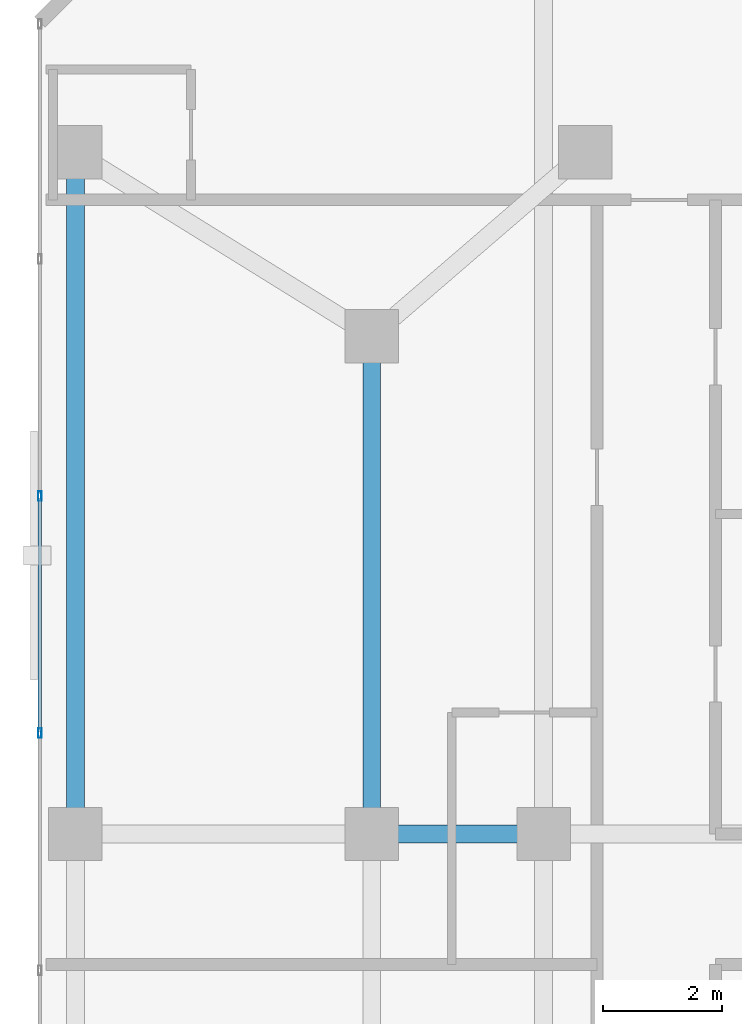
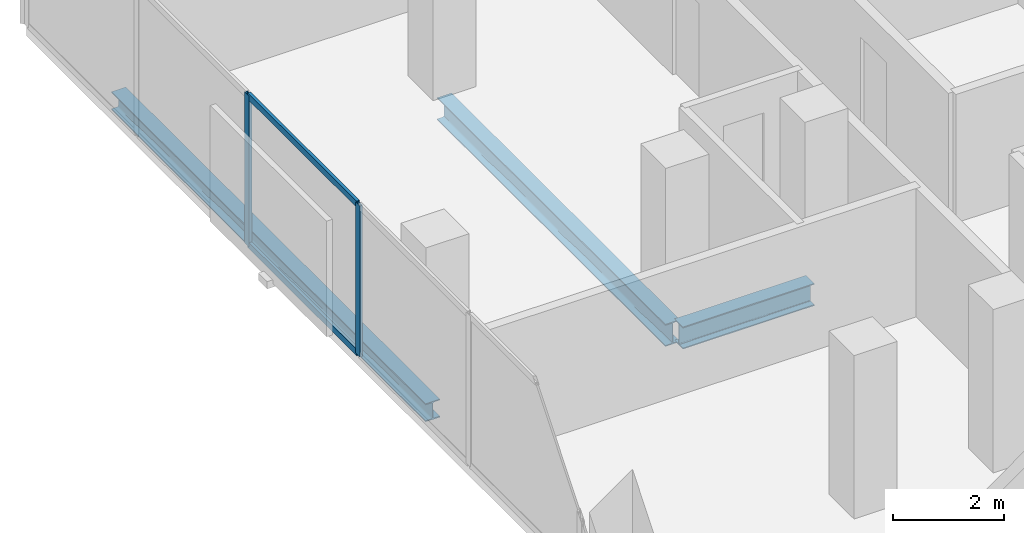
# One storey, part 11 of 34: 4 members, 3 beams, 1 element without a shape of its own.
"""IFC4 building model written with IfcOpenShell, lengths in metres."""

from ifc_helpers import new_model, si_unit, direction, frame, origin, origin_2d, place, context, subcontext, project, spatial, hollow_rectangle, i_section, extrude, material, layer, layer_set, material_profile, profile_set, type_object, element, aggregate, save


model = new_model("IFC4")

# Units and contexts
model_context = context("Model", 3, precision=1e-05, world=origin(), true_north=direction((0.0, 1.0)))
body_context = subcontext(model_context, "Body", "Model", "MODEL_VIEW")
ifc_project = project(units=[si_unit("LENGTHUNIT", "METRE"), si_unit("AREAUNIT", "SQUARE_METRE"), si_unit("VOLUMEUNIT", "CUBIC_METRE"), si_unit("PLANEANGLEUNIT", "RADIAN"), si_unit("MASSUNIT", "GRAM", prefix="KILO")], contexts=[model_context])

# Site, building, storey
site_placement = place(None, origin())
site = spatial("IfcSite", under=ifc_project, at=site_placement, CompositionType="ELEMENT")
building_placement = place(site_placement, origin())
building = spatial("IfcBuilding", under=site, at=building_placement, Name="Catumbela Crestline Tower", CompositionType="ELEMENT")
storey_placement = place(building_placement, frame((0.0, 0.0, 93.6)))
storey = spatial("IfcBuildingStorey", under=building, at=storey_placement, Name="L23", CompositionType="ELEMENT", Elevation=93.6)

# Beams
ifc_material_1 = material(Name="Structural steel S355J2", Category="steel")
ifc_material_profile_1 = material_profile(ifc_material_1, i_section(OverallWidth=0.3, OverallDepth=0.49, WebThickness=0.012, FlangeThickness=0.023, FilletRadius=0.027, at=origin_2d()), Name="HEA 500")
ifc_profile_set_1 = profile_set([ifc_material_profile_1], Name="Structural steel S355J2")
beam_type_1 = type_object("IfcBeamType", Name="BG-HEA500", PredefinedType="BEAM", material=ifc_profile_set_1)
beam_1_placement = place(storey_placement, frame((5.68, 30.8, -0.505), z_axis=(1.0, 0.0, 0.0), x_axis=(0.0, 1.0, 0.0)))
element("IfcBeam", 1, at=beam_1_placement, inside=storey, type_object=beam_type_1, Name="L23 Beam BM-L23-M08", PredefinedType="BEAM", context=body_context, shape_type="SweptSolid", body=[
    extrude(i_section(OverallWidth=0.3, OverallDepth=0.49, WebThickness=0.012, FlangeThickness=0.023, FilletRadius=0.027, at=origin_2d()), origin(), (0.0, 0.0, 1.0), 2.74),
])
beam_2_placement = place(storey_placement, frame((5.6, 30.88, -0.505), z_axis=(0.0, 1.0, 0.0), x_axis=(-1.0, 0.0, 0.0)))
element("IfcBeam", 2, at=beam_2_placement, inside=storey, type_object=beam_type_1, Name="L23 Beam BM-L23-SN25", PredefinedType="BEAM", context=body_context, shape_type="SweptSolid", body=[
    extrude(i_section(OverallWidth=0.3, OverallDepth=0.49, WebThickness=0.012, FlangeThickness=0.023, FilletRadius=0.027, at=origin_2d()), origin(), (0.0, 0.0, 1.0), 8.24),
])

# Curtain wall, members
ifc_material_2 = material(Name="Aluminium alloy AW-6060-T66", Category="aluminium")
ifc_layer = layer(ifc_material_2, 0.18, Name="Aluminium alloy AW-6060-T66")
ifc_layer_set = layer_set([ifc_layer], Name="Aluminium alloy AW-6060-T66")
curtain_wall_type = type_object("IfcCurtainWallType", Name="CWU-Z2", PredefinedType="USERDEFINED", material=ifc_layer_set)
curtain_wall_placement = place(storey_placement, origin())
curtain_wall = element("IfcCurtainWall", 3, at=curtain_wall_placement, inside=storey, type_object=curtain_wall_type, Name="L23 Unitised Curtain Wall CW-L23-E9S1", ObjectType="UNITISED", PredefinedType="USERDEFINED")
ifc_material_profile_2 = material_profile(ifc_material_2, hollow_rectangle(XDim=0.06, YDim=0.16, WallThickness=0.004, at=origin_2d()), Name="ALU 160x60x4")
ifc_profile_set_2 = profile_set([ifc_material_profile_2], Name="Aluminium alloy AW-6060-T66")
member_type_1 = type_object("IfcMemberType", Name="MUL-160X60", PredefinedType="MULLION", material=ifc_profile_set_2)
member_1_placement = place(storey_placement, frame((0.0, 36.5, 0.0), z_axis=(0.0, 0.0, 1.0), x_axis=(1.0, 0.0, 0.0)))
member_1 = element("IfcMember", 4, at=member_1_placement, type_object=member_type_1, Name="CWU-Z2 mullion 3", PredefinedType="MULLION", context=body_context, shape_type="SweptSolid", body=[
    extrude(hollow_rectangle(XDim=0.06, YDim=0.16, WallThickness=0.004, at=origin_2d()), origin(), (0.0, 0.0, 1.0), 3.33),
])
member_2_placement = place(storey_placement, frame((0.0, 32.5, 0.0), z_axis=(0.0, 0.0, 1.0), x_axis=(1.0, 0.0, 0.0)))
member_2 = element("IfcMember", 5, at=member_2_placement, type_object=member_type_1, Name="CWU-Z2 mullion 4", PredefinedType="MULLION", context=body_context, shape_type="SweptSolid", body=[
    extrude(hollow_rectangle(XDim=0.06, YDim=0.16, WallThickness=0.004, at=origin_2d()), origin(), (0.0, 0.0, 1.0), 3.33),
])

# Beam
ifc_material_profile_3 = material_profile(ifc_material_1, i_section(OverallWidth=0.3, OverallDepth=0.4, WebThickness=0.0135, FlangeThickness=0.024, FilletRadius=0.027, at=origin_2d()), Name="HEB 400")
ifc_profile_set_3 = profile_set([ifc_material_profile_3], Name="Structural steel S355J2")
beam_type_2 = type_object("IfcBeamType", Name="BS-HEB400", PredefinedType="SPANDREL", material=ifc_profile_set_3)
beam_3_placement = place(storey_placement, frame((0.6, 30.88, -0.46), z_axis=(0.0, 1.0, 0.0), x_axis=(-1.0, 0.0, 0.0)))
element("IfcBeam", 6, at=beam_3_placement, inside=storey, type_object=beam_type_2, Name="L23 Spandrel SP-L23-SN23", PredefinedType="SPANDREL", context=body_context, shape_type="SweptSolid", body=[
    extrude(i_section(OverallWidth=0.3, OverallDepth=0.4, WebThickness=0.0135, FlangeThickness=0.024, FilletRadius=0.027, at=origin_2d()), origin(), (0.0, 0.0, 1.0), 11.34),
])

# Member
ifc_material_profile_4 = material_profile(ifc_material_2, hollow_rectangle(XDim=0.06, YDim=0.14, WallThickness=0.004, at=origin_2d()), Name="ALU 140x60x4")
ifc_profile_set_4 = profile_set([ifc_material_profile_4], Name="Aluminium alloy AW-6060-T66")
member_type_2 = type_object("IfcMemberType", Name="TRN-140X60", PredefinedType="USERDEFINED", material=ifc_profile_set_4)
member_3_placement = place(storey_placement, frame((0.0, 36.4675, 0.03), z_axis=(0.0, -1.0, 0.0), x_axis=(1.0, 0.0, 0.0)))
member_3 = element("IfcMember", 7, at=member_3_placement, type_object=member_type_2, Name="CWU-Z2 transom 3.1", ObjectType="TRANSOM", PredefinedType="USERDEFINED", context=body_context, shape_type="SweptSolid", body=[
    extrude(hollow_rectangle(XDim=0.06, YDim=0.14, WallThickness=0.004, at=origin_2d()), origin(), (0.0, 0.0, 1.0), 3.935),
])

member_4_placement = place(storey_placement, frame((0.0, 36.4675, 3.3), z_axis=(0.0, -1.0, 0.0), x_axis=(1.0, 0.0, 0.0)))
member_4 = element("IfcMember", 8, at=member_4_placement, type_object=member_type_2, Name="CWU-Z2 transom 3.2", ObjectType="TRANSOM", PredefinedType="USERDEFINED", context=body_context, shape_type="SweptSolid", body=[
    extrude(hollow_rectangle(XDim=0.06, YDim=0.14, WallThickness=0.004, at=origin_2d()), origin(), (0.0, 0.0, 1.0), 3.935),
])

aggregate(curtain_wall, [member_1, member_2, member_3, member_4])

save(model, "model.ifc")
